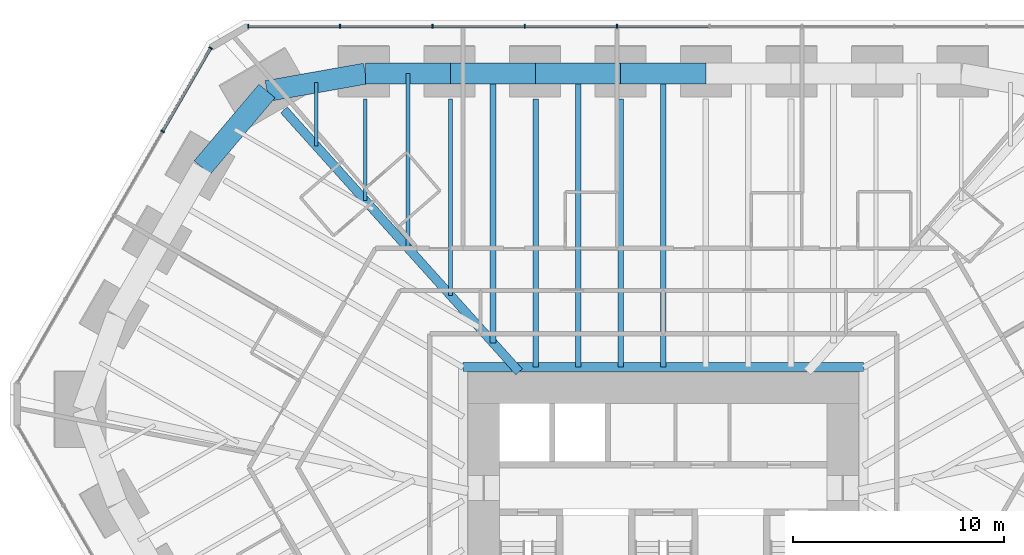
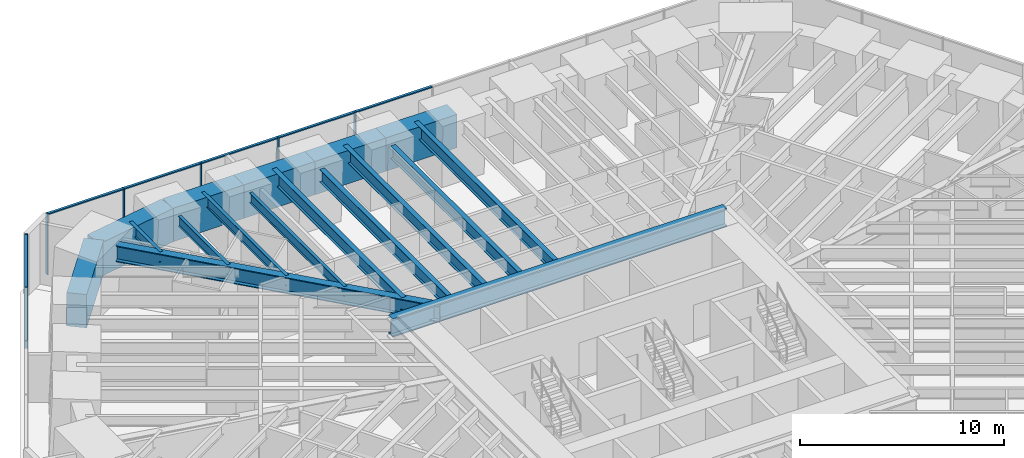
# One storey, part 8 of 17: 17 beams, 13 members, 2 elements without a shape of their own.
"""IFC4 building model written with IfcOpenShell, lengths in metres."""

from ifc_helpers import new_model, si_unit, direction, frame, origin, origin_2d, place, context, subcontext, project, spatial, rectangle, i_section, extrude, material, material_profile, profile_set, type_object, element, aggregate, save


model = new_model("IFC4")

# Units and contexts
model_context = context("Model", 3, precision=1e-05, world=origin(), true_north=direction((0.0, 1.0)))
body_context = subcontext(model_context, "Body", "Model", "MODEL_VIEW")
ifc_project = project(units=[si_unit("LENGTHUNIT", "METRE"), si_unit("AREAUNIT", "SQUARE_METRE"), si_unit("VOLUMEUNIT", "CUBIC_METRE"), si_unit("PLANEANGLEUNIT", "RADIAN"), si_unit("MASSUNIT", "GRAM", prefix="KILO")], contexts=[model_context])

# Site, building, storey
site_placement = place(None, origin())
site = spatial("IfcSite", under=ifc_project, at=site_placement, CompositionType="ELEMENT")
building_placement = place(site_placement, origin())
building = spatial("IfcBuilding", under=site, at=building_placement, Name="Sandreach Pilgrim Tower", CompositionType="ELEMENT")
storey_placement = place(building_placement, frame((0.0, 0.0, 80.0)))
storey = spatial("IfcBuildingStorey", under=building, at=storey_placement, Name="L19", CompositionType="ELEMENT", Elevation=80.0)

# Curtain wall, members
ifc_material_1 = material(Name="Aluminium framed curtain wall", Category="aluminium")
curtain_wall_type = type_object("IfcCurtainWallType", Name="Hostel tower curtain wall", PredefinedType="NOTDEFINED", material=ifc_material_1)
curtain_wall_1_placement = place(storey_placement, origin())
curtain_wall_1 = element("IfcCurtainWall", 1, at=curtain_wall_1_placement, inside=storey, type_object=curtain_wall_type, Name="CW-1 L19 N", PredefinedType="NOTDEFINED")
ifc_material_2 = material(Name="Aluminium extrusion", Category="aluminium")
ifc_material_profile_1 = material_profile(ifc_material_2, rectangle(XDim=0.06494140625, YDim=0.179931640625, at=origin_2d()), Name="CW-1M 65X180")
ifc_profile_set_1 = profile_set([ifc_material_profile_1], Name="Aluminium extrusion")
member_type_1 = type_object("IfcMemberType", Name="CW-1 mullion", PredefinedType="MULLION", material=ifc_profile_set_1)
member_1_placement = place(storey_placement, frame((-19.6396484375, 23.94873046875, 0.0), z_axis=(0.0, 0.0, 1.0), x_axis=(1.0, 0.0, 0.0)))
member_1 = element("IfcMember", 2, at=member_1_placement, type_object=member_type_1, Name="CW-1 mullion 1", PredefinedType="MULLION", context=body_context, shape_type="SweptSolid", body=[
    extrude(rectangle(XDim=0.06494140625, YDim=0.179931640625, at=origin_2d()), origin(), (0.0, 0.0, 1.0), 3.639892578125),
])
member_2_placement = place(storey_placement, frame((-15.300537109375, 23.94873046875, 0.0), z_axis=(0.0, 0.0, 1.0), x_axis=(1.0, 0.0, 0.0)))
member_2 = element("IfcMember", 3, at=member_2_placement, type_object=member_type_1, Name="CW-1 mullion 2", PredefinedType="MULLION", context=body_context, shape_type="SweptSolid", body=[
    extrude(rectangle(XDim=0.06494140625, YDim=0.179931640625, at=origin_2d()), origin(), (0.0, 0.0, 1.0), 3.639892578125),
])
member_3_placement = place(storey_placement, frame((-10.928955078125, 23.94873046875, 0.0), z_axis=(0.0, 0.0, 1.0), x_axis=(1.0, 0.0, 0.0)))
member_3 = element("IfcMember", 4, at=member_3_placement, type_object=member_type_1, Name="CW-1 mullion 3", PredefinedType="MULLION", context=body_context, shape_type="SweptSolid", body=[
    extrude(rectangle(XDim=0.06494140625, YDim=0.179931640625, at=origin_2d()), origin(), (0.0, 0.0, 1.0), 3.639892578125),
])
member_4_placement = place(storey_placement, frame((-6.557373046875, 23.94873046875, 0.0), z_axis=(0.0, 0.0, 1.0), x_axis=(1.0, 0.0, 0.0)))
member_4 = element("IfcMember", 5, at=member_4_placement, type_object=member_type_1, Name="CW-1 mullion 4", PredefinedType="MULLION", context=body_context, shape_type="SweptSolid", body=[
    extrude(rectangle(XDim=0.06494140625, YDim=0.179931640625, at=origin_2d()), origin(), (0.0, 0.0, 1.0), 3.639892578125),
])
member_5_placement = place(storey_placement, frame((-2.185791015625, 23.94873046875, 0.0), z_axis=(0.0, 0.0, 1.0), x_axis=(1.0, 0.0, 0.0)))
member_5 = element("IfcMember", 6, at=member_5_placement, type_object=member_type_1, Name="CW-1 mullion 5", PredefinedType="MULLION", context=body_context, shape_type="SweptSolid", body=[
    extrude(rectangle(XDim=0.06494140625, YDim=0.179931640625, at=origin_2d()), origin(), (0.0, 0.0, 1.0), 3.639892578125),
])

curtain_wall_2_placement = place(storey_placement, origin())
curtain_wall_2 = element("IfcCurtainWall", 7, at=curtain_wall_2_placement, inside=storey, type_object=curtain_wall_type, Name="CW-1 L19 NW", PredefinedType="NOTDEFINED")
member_6_placement = place(storey_placement, frame((-23.697265625, 18.97705078125, 0.0), z_axis=(0.0, 0.0, 1.0), x_axis=(0.5, 0.866025403784, 0.0)))
member_6 = element("IfcMember", 8, at=member_6_placement, type_object=member_type_1, Name="CW-1 mullion 4", PredefinedType="MULLION", context=body_context, shape_type="SweptSolid", body=[
    extrude(rectangle(XDim=0.06494140625, YDim=0.179931640625, at=origin_2d()), origin(), (0.0, 0.0, 1.0), 3.639892578125),
])
member_7_placement = place(storey_placement, frame((-21.42041015625, 22.920654296875, 0.0), z_axis=(0.0, 0.0, 1.0), x_axis=(0.5, 0.866025403784, 0.0)))
member_7 = element("IfcMember", 9, at=member_7_placement, type_object=member_type_1, Name="CW-1 mullion 5", PredefinedType="MULLION", context=body_context, shape_type="SweptSolid", body=[
    extrude(rectangle(XDim=0.06494140625, YDim=0.179931640625, at=origin_2d()), origin(), (0.0, 0.0, 1.0), 3.639892578125),
])

# Member
ifc_material_3 = material(Name="Aluminium extrusion", Category="aluminium")
ifc_material_profile_2 = material_profile(ifc_material_3, rectangle(XDim=0.139892578125, YDim=0.070068359375, at=origin_2d()), Name="CW-1T 140X70")
ifc_profile_set_2 = profile_set([ifc_material_profile_2], Name="Aluminium extrusion")
member_type_2 = type_object("IfcMemberType", Name="CW-1 transom", PredefinedType="USERDEFINED", material=ifc_profile_set_2)
member_8_placement = place(storey_placement, frame((-19.607177734375, 23.94873046875, 3.60498046875), z_axis=(1.0, 0.0, 0.0), x_axis=(0.0, 1.0, 0.0)))
member_8 = element("IfcMember", 10, at=member_8_placement, type_object=member_type_2, Name="CW-1 head transom 1", ObjectType="TRANSOM", PredefinedType="USERDEFINED", context=body_context, shape_type="SweptSolid", body=[
    extrude(rectangle(XDim=0.139892578125, YDim=0.070068359375, at=origin_2d()), origin(), (0.0, 0.0, 1.0), 4.274169921875),
])

member_9_placement = place(storey_placement, frame((-15.26806640625, 23.94873046875, 3.60498046875), z_axis=(1.0, 0.0, 0.0), x_axis=(0.0, 1.0, 0.0)))
member_9 = element("IfcMember", 11, at=member_9_placement, type_object=member_type_2, Name="CW-1 head transom 2", ObjectType="TRANSOM", PredefinedType="USERDEFINED", context=body_context, shape_type="SweptSolid", body=[
    extrude(rectangle(XDim=0.139892578125, YDim=0.070068359375, at=origin_2d()), origin(), (0.0, 0.0, 1.0), 4.306640625),
])

member_10_placement = place(storey_placement, frame((-10.896484375, 23.94873046875, 3.60498046875), z_axis=(1.0, 0.0, 0.0), x_axis=(0.0, 1.0, 0.0)))
member_10 = element("IfcMember", 12, at=member_10_placement, type_object=member_type_2, Name="CW-1 head transom 3", ObjectType="TRANSOM", PredefinedType="USERDEFINED", context=body_context, shape_type="SweptSolid", body=[
    extrude(rectangle(XDim=0.139892578125, YDim=0.070068359375, at=origin_2d()), origin(), (0.0, 0.0, 1.0), 4.306640625),
])

member_11_placement = place(storey_placement, frame((-6.52490234375, 23.94873046875, 3.60498046875), z_axis=(1.0, 0.0, 0.0), x_axis=(0.0, 1.0, 0.0)))
member_11 = element("IfcMember", 13, at=member_11_placement, type_object=member_type_2, Name="CW-1 head transom 4", ObjectType="TRANSOM", PredefinedType="USERDEFINED", context=body_context, shape_type="SweptSolid", body=[
    extrude(rectangle(XDim=0.139892578125, YDim=0.070068359375, at=origin_2d()), origin(), (0.0, 0.0, 1.0), 4.306640625),
])

member_12_placement = place(storey_placement, frame((-2.1533203125, 23.94873046875, 3.60498046875), z_axis=(1.0, 0.0, 0.0), x_axis=(0.0, 1.0, 0.0)))
member_12 = element("IfcMember", 14, at=member_12_placement, type_object=member_type_2, Name="CW-1 head transom 5", ObjectType="TRANSOM", PredefinedType="USERDEFINED", context=body_context, shape_type="SweptSolid", body=[
    extrude(rectangle(XDim=0.139892578125, YDim=0.070068359375, at=origin_2d()), origin(), (0.0, 0.0, 1.0), 4.306640625),
])

aggregate(curtain_wall_1, [member_1, member_2, member_3, member_4, member_5, member_8, member_9, member_10, member_11, member_12])

member_13_placement = place(storey_placement, frame((-23.680908203125, 19.005126953125, 3.60498046875), z_axis=(0.500017500808, 0.866015299452, 0.0), x_axis=(-0.866015299452, 0.500017500808, 0.0)))
member_13 = element("IfcMember", 15, at=member_13_placement, type_object=member_type_2, Name="CW-1 head transom 4", ObjectType="TRANSOM", PredefinedType="USERDEFINED", context=body_context, shape_type="SweptSolid", body=[
    extrude(rectangle(XDim=0.139892578125, YDim=0.070068359375, at=origin_2d()), origin(), (0.0, 0.0, 1.0), 4.488525390625),
])

aggregate(curtain_wall_2, [member_6, member_7, member_13])

# Beams
ifc_material_4 = material(Name="Steel ASTM A992 Grade 50", Category="steel")
ifc_material_profile_3 = material_profile(ifc_material_4, i_section(OverallWidth=0.424072265625, OverallDepth=1.09228515625, WebThickness=0.04541015625, FlangeThickness=0.08203125, at=origin_2d()), Name="W40X593")
ifc_profile_set_3 = profile_set([ifc_material_profile_3], Name="Steel ASTM A992 Grade 50")
beam_type_1 = type_object("IfcBeamType", Name="Core edge beam W40X593", PredefinedType="BEAM", material=ifc_profile_set_3)
beam_1_placement = place(storey_placement, frame((-9.47216796875, 7.822021484375, 3.093994140625), z_axis=(1.0, 0.0, 0.0), x_axis=(0.0, 1.0, 0.0)))
element("IfcBeam", 16, at=beam_1_placement, inside=storey, type_object=beam_type_1, Name="BM L19 CEN", PredefinedType="BEAM", context=body_context, shape_type="SweptSolid", body=[
    extrude(i_section(OverallWidth=0.424072265625, OverallDepth=1.09228515625, WebThickness=0.04541015625, FlangeThickness=0.08203125, at=origin_2d()), origin(), (0.0, 0.0, 1.0), 18.9443359375),
])
ifc_material_5 = material(Name="Steel ASTM A992 Grade 50", Category="steel")
ifc_material_profile_4 = material_profile(ifc_material_5, i_section(OverallWidth=0.424072265625, OverallDepth=0.965087890625, WebThickness=0.028564453125, FlangeThickness=0.051025390625, at=origin_2d()), Name="W36X361")
ifc_profile_set_4 = profile_set([ifc_material_profile_4], Name="Steel ASTM A992 Grade 50")
beam_type_2 = type_object("IfcBeamType", Name="Corner girder W36X361", PredefinedType="BEAM", material=ifc_profile_set_4)
beam_2_placement = place(storey_placement, frame((-17.95361328125, 19.994140625, 3.157470703125), z_axis=(0.668127029517, -0.744047224596, 0.0), x_axis=(0.744047224596, 0.668127029517, 0.0)))
element("IfcBeam", 17, at=beam_2_placement, inside=storey, type_object=beam_type_2, Name="BM L19 CG39", PredefinedType="BEAM", context=body_context, shape_type="SweptSolid", body=[
    extrude(i_section(OverallWidth=0.424072265625, OverallDepth=0.965087890625, WebThickness=0.028564453125, FlangeThickness=0.051025390625, at=origin_2d()), origin(), (0.0, 0.0, 1.0), 16.65771484375),
])
ifc_material_6 = material(Name="Steel ASTM A992 Grade 50", Category="steel")
ifc_material_profile_5 = material_profile(ifc_material_6, i_section(OverallWidth=0.1787109375, OverallDepth=0.60205078125, WebThickness=0.010986328125, FlangeThickness=0.014892578125, at=origin_2d()), Name="W24X62")
ifc_profile_set_5 = profile_set([ifc_material_profile_5], Name="Steel ASTM A992 Grade 50")
beam_type_3 = type_object("IfcBeamType", Name="Floor beam W24X62", PredefinedType="BEAM", material=ifc_profile_set_5)
beam_3_placement = place(storey_placement, frame((-14.10009765625, 20.511474609375, 3.339111328125), z_axis=(0.0, -1.0, 0.0), x_axis=(1.0, 0.0, 0.0)))
element("IfcBeam", 18, at=beam_3_placement, inside=storey, type_object=beam_type_3, Name="BM L19 F01", PredefinedType="BEAM", context=body_context, shape_type="SweptSolid", body=[
    extrude(i_section(OverallWidth=0.1787109375, OverallDepth=0.60205078125, WebThickness=0.010986328125, FlangeThickness=0.014892578125, at=origin_2d()), origin(), (0.0, 0.0, 1.0), 4.808837890625),
])
beam_4_placement = place(storey_placement, frame((-10.071533203125, 20.511474609375, 3.339111328125), z_axis=(0.0, -1.0, 0.0), x_axis=(1.0, 0.0, 0.0)))
element("IfcBeam", 19, at=beam_4_placement, inside=storey, type_object=beam_type_3, Name="BM L19 F02", PredefinedType="BEAM", context=body_context, shape_type="SweptSolid", body=[
    extrude(i_section(OverallWidth=0.1787109375, OverallDepth=0.60205078125, WebThickness=0.010986328125, FlangeThickness=0.014892578125, at=origin_2d()), origin(), (0.0, 0.0, 1.0), 9.29541015625),
])
beam_5_placement = place(storey_placement, frame((-12.085693359375, 21.71142578125, 3.339111328125), z_axis=(0.0, -1.0, 0.0), x_axis=(1.0, 0.0, 0.0)))
element("IfcBeam", 20, at=beam_5_placement, inside=storey, type_object=beam_type_3, Name="BM L19 FM01", PredefinedType="BEAM", context=body_context, shape_type="SweptSolid", body=[
    extrude(i_section(OverallWidth=0.1787109375, OverallDepth=0.60205078125, WebThickness=0.010986328125, FlangeThickness=0.014892578125, at=origin_2d()), origin(), (0.0, 0.0, 1.0), 8.251953125),
])
beam_6_placement = place(storey_placement, frame((-16.427734375, 21.29931640625, 3.339111328125), z_axis=(0.0, -1.0, 0.0), x_axis=(1.0, 0.0, 0.0)))
element("IfcBeam", 21, at=beam_6_placement, inside=storey, type_object=beam_type_3, Name="BM L19 FM39", PredefinedType="BEAM", context=body_context, shape_type="SweptSolid", body=[
    extrude(i_section(OverallWidth=0.1787109375, OverallDepth=0.60205078125, WebThickness=0.010986328125, FlangeThickness=0.014892578125, at=origin_2d()), origin(), (0.0, 0.0, 1.0), 3.00439453125),
])
ifc_material_7 = material(Name="Steel ASTM A992 Grade 50", Category="steel")
ifc_material_profile_6 = material_profile(ifc_material_7, i_section(OverallWidth=0.2666015625, OverallDepth=0.761962890625, WebThickness=0.014404296875, FlangeThickness=0.021484375, at=origin_2d()), Name="W30X116")
ifc_profile_set_6 = profile_set([ifc_material_profile_6], Name="Steel ASTM A992 Grade 50")
beam_type_4 = type_object("IfcBeamType", Name="Floor beam W30X116", PredefinedType="BEAM", material=ifc_profile_set_6)
for number, where, z_axis, x_axis, name in (
    (22, (-6.04296875, 20.511474609375, 3.259033203125), (0.0, -1.0, 0.0), (1.0, 0.0, 0.0), "BM L19 F03"),
    (23, (-2.014404296875, 20.511474609375, 3.259033203125), (0.0, -1.0, 0.0), (1.0, 0.0, 0.0), "BM L19 F04"),
):
    element("IfcBeam", number, at=place(storey_placement, frame(where, z_axis=z_axis, x_axis=x_axis)), inside=storey, type_object=beam_type_4, Name=name, PredefinedType="BEAM", context=body_context, shape_type="SweptSolid", body=[
        extrude(i_section(OverallWidth=0.2666015625, OverallDepth=0.761962890625, WebThickness=0.014404296875, FlangeThickness=0.021484375, at=origin_2d()), origin(), (0.0, 0.0, 1.0), 12.689453125),
    ])
beam_7_placement = place(storey_placement, frame((-8.05712890625, 21.71142578125, 3.259033203125), z_axis=(0.0, -1.0, 0.0), x_axis=(1.0, 0.0, 0.0)))
element("IfcBeam", 24, at=beam_7_placement, inside=storey, type_object=beam_type_4, Name="BM L19 FM02", PredefinedType="BEAM", context=body_context, shape_type="SweptSolid", body=[
    extrude(i_section(OverallWidth=0.2666015625, OverallDepth=0.761962890625, WebThickness=0.014404296875, FlangeThickness=0.021484375, at=origin_2d()), origin(), (0.0, 0.0, 1.0), 12.738525390625),
])
for number, where, z_axis, x_axis, name in (
    (25, (-4.028564453125, 21.71142578125, 3.259033203125), (0.0, -1.0, 0.0), (1.0, 0.0, 0.0), "BM L19 FM03"),
    (26, (0.0, 21.71142578125, 3.259033203125), (0.0, -1.0, 0.0), (1.0, 0.0, 0.0), "BM L19 FM04"),
):
    element("IfcBeam", number, at=place(storey_placement, frame(where, z_axis=z_axis, x_axis=x_axis)), inside=storey, type_object=beam_type_4, Name=name, PredefinedType="BEAM", context=body_context, shape_type="SweptSolid", body=[
        extrude(i_section(OverallWidth=0.2666015625, OverallDepth=0.761962890625, WebThickness=0.014404296875, FlangeThickness=0.021484375, at=origin_2d()), origin(), (0.0, 0.0, 1.0), 13.889404296875),
    ])
ifc_material_8 = material(Name="Concrete 10000 psi", Category="concrete")
ifc_material_profile_7 = material_profile(ifc_material_8, rectangle(XDim=1.0, YDim=2.0, at=origin_2d()), Name="RC1000X2000")
ifc_profile_set_7 = profile_set([ifc_material_profile_7], Name="Concrete 10000 psi")
beam_type_5 = type_object("IfcBeamType", Name="Spandrel beam RC1000X2000", PredefinedType="SPANDREL", material=ifc_profile_set_7)
for number, where, z_axis, x_axis, name in (
    (27, (-14.10009765625, 21.71142578125, 2.639892578125), (1.0, 0.0, 0.0), (0.0, 1.0, 0.0), "BM L19 SP01"),
    (28, (-10.071533203125, 21.71142578125, 2.639892578125), (1.0, 0.0, 0.0), (0.0, 1.0, 0.0), "BM L19 SP02"),
    (29, (-6.04296875, 21.71142578125, 2.639892578125), (1.0, 0.0, 0.0), (0.0, 1.0, 0.0), "BM L19 SP03"),
):
    element("IfcBeam", number, at=place(storey_placement, frame(where, z_axis=z_axis, x_axis=x_axis)), inside=storey, type_object=beam_type_5, Name=name, PredefinedType="SPANDREL", context=body_context, shape_type="SweptSolid", body=[
        extrude(rectangle(XDim=1.0, YDim=2.0, at=origin_2d()), origin(), (0.0, 0.0, 1.0), 4.028564453125),
    ])
beam_8_placement = place(storey_placement, frame((-2.014404296875, 21.71142578125, 2.639892578125), z_axis=(1.0, 0.0, 0.0), x_axis=(0.0, 1.0, 0.0)))
element("IfcBeam", 30, at=beam_8_placement, inside=storey, type_object=beam_type_5, Name="BM L19 SP04", PredefinedType="SPANDREL", context=body_context, shape_type="SweptSolid", body=[
    extrude(rectangle(XDim=1.0, YDim=2.0, at=origin_2d()), origin(), (0.0, 0.0, 1.0), 4.02880859375),
])
beam_9_placement = place(storey_placement, frame((-21.819580078125, 17.265869140625, 2.639892578125), z_axis=(0.645967619873, 0.763364810609, 0.0), x_axis=(-0.763364810609, 0.645967619873, 0.0)))
element("IfcBeam", 31, at=beam_9_placement, inside=storey, type_object=beam_type_5, Name="BM L19 SP38", PredefinedType="SPANDREL", context=body_context, shape_type="SweptSolid", body=[
    extrude(rectangle(XDim=1.0, YDim=2.0, at=origin_2d()), origin(), (0.0, 0.0, 1.0), 4.74365234375),
])
beam_10_placement = place(storey_placement, frame((-18.75537109375, 20.886962890625, 2.639892578125), z_axis=(0.984676800589, 0.174389215208, 0.0), x_axis=(-0.174389215208, 0.984676800589, 0.0)))
element("IfcBeam", 32, at=beam_10_placement, inside=storey, type_object=beam_type_5, Name="BM L19 SP39", PredefinedType="SPANDREL", context=body_context, shape_type="SweptSolid", body=[
    extrude(rectangle(XDim=1.0, YDim=2.0, at=origin_2d()), origin(), (0.0, 0.0, 1.0), 4.727783203125),
])

save(model, "model.ifc")
